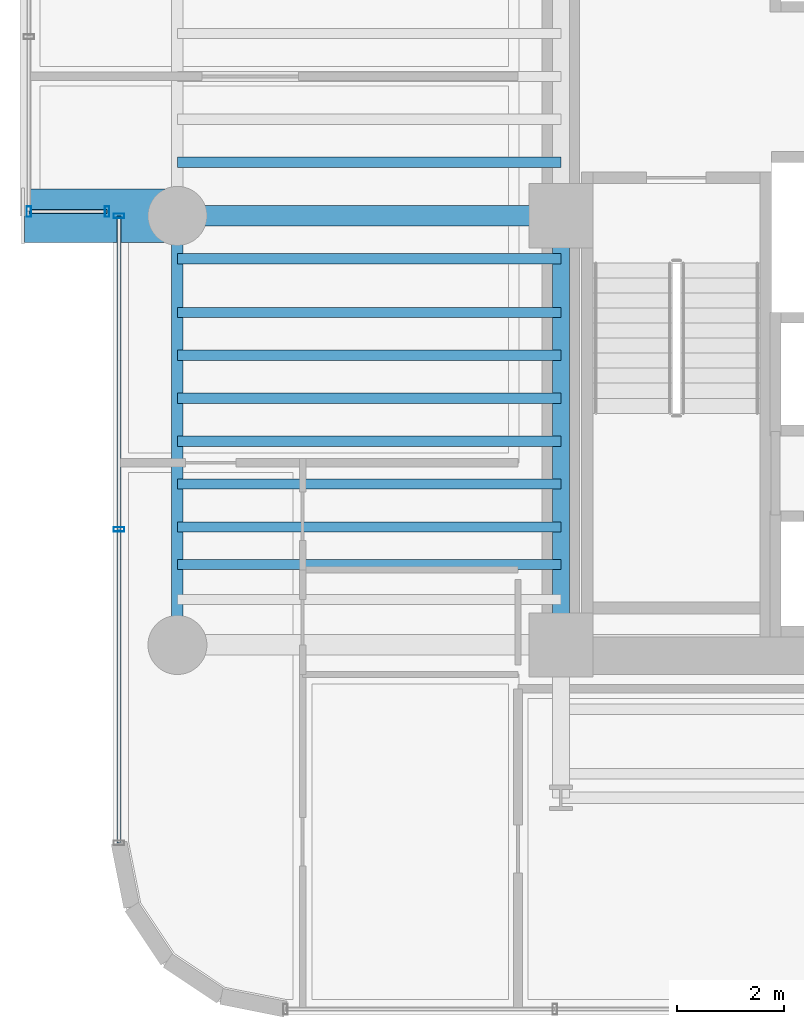
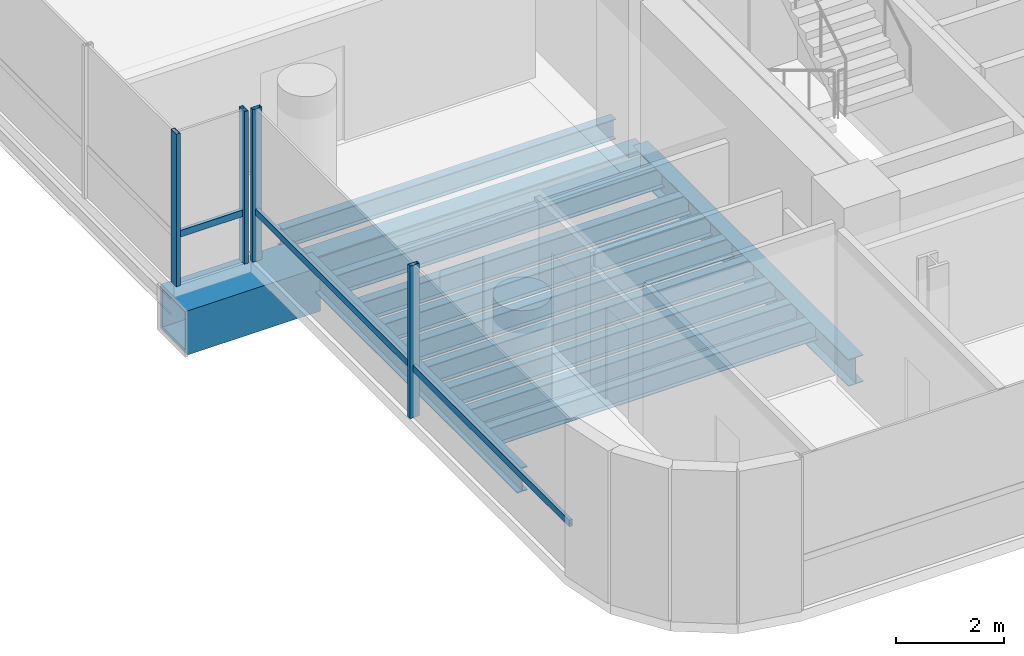
# One storey, part 4 of 35: 13 beams, 6 members, 2 elements without a shape of their own.
"""IFC4 building model written with IfcOpenShell, lengths in metres."""

from ifc_helpers import new_model, si_unit, direction, frame, origin, origin_2d, place, context, subcontext, project, spatial, hollow_rectangle, i_section, extrude, source, transform, mapped, material, material_profile, profile_set, type_object, element, aggregate, save


model = new_model("IFC4")

# Units and contexts
model_context = context("Model", 3, precision=1e-05, world=origin(), true_north=direction((0.0, 1.0)))
body_context = subcontext(model_context, "Body", "Model", "MODEL_VIEW")
ifc_project = project(units=[si_unit("LENGTHUNIT", "METRE"), si_unit("AREAUNIT", "SQUARE_METRE"), si_unit("VOLUMEUNIT", "CUBIC_METRE"), si_unit("PLANEANGLEUNIT", "RADIAN"), si_unit("MASSUNIT", "GRAM", prefix="KILO")], contexts=[model_context])

# Site, building, storey
site_placement = place(None, origin())
site = spatial("IfcSite", under=ifc_project, at=site_placement, CompositionType="ELEMENT")
building_placement = place(site_placement, origin())
building = spatial("IfcBuilding", under=site, at=building_placement, Name="Valdorenza Pilgrim Sanctuary Tower", CompositionType="ELEMENT")
storey_placement = place(building_placement, frame((0.0, 0.0, 105.699951171875)))
storey = spatial("IfcBuildingStorey", under=building, at=storey_placement, Name="L26", CompositionType="ELEMENT", Elevation=105.699951171875)

# Beams
ifc_material_1 = material(Name="Steel ASTM A992 Grade 50", Category="steel")
ifc_material_profile_1 = material_profile(ifc_material_1, i_section(OverallWidth=0.214111328125, OverallDepth=0.549072265625, WebThickness=0.0146484375, FlangeThickness=0.023681640625, at=origin_2d()), Name="W21X93")
ifc_profile_set_1 = profile_set([ifc_material_profile_1], Name="Steel ASTM A992 Grade 50")
beam_type_1 = type_object("IfcBeamType", Name="STR-BM-SPN-W21A", PredefinedType="SPANDREL", material=ifc_profile_set_1)
shared_shape_1 = source(origin(), body_context, "Body", "SweptSolid", [
    extrude(i_section(OverallWidth=0.214111328125, OverallDepth=0.549072265625, WebThickness=0.0146484375, FlangeThickness=0.023681640625, at=origin_2d()), origin(), (0.0, 0.0, 1.0), 8.0),
])
beam_1_placement = place(storey_placement, frame((-29.800048828125, -10.60009765625, -0.514404296875), z_axis=(0.0, 1.0, 0.0), x_axis=(-1.0, 0.0, 0.0)))
element("IfcBeam", 1, at=beam_1_placement, inside=storey, type_object=beam_type_1, Name="L26 Spandrel Beam WA-W-S1M0", PredefinedType="SPANDREL", context=body_context, shape_type="MappedRepresentation", body=[
    mapped(shared_shape_1, transform((0.0, 0.0, 0.0), x_axis=(1.0, 0.0, 0.0), y_axis=(0.0, 1.0, 0.0), z_axis=(0.0, 0.0, 1.0), scale=1.0)),
])
ifc_material_profile_2 = material_profile(ifc_material_1, i_section(OverallWidth=0.323974609375, OverallDepth=0.611083984375, WebThickness=0.0126953125, FlangeThickness=0.01904296875, at=origin_2d()), Name="W24X104")
ifc_profile_set_2 = profile_set([ifc_material_profile_2], Name="Steel ASTM A992 Grade 50")
beam_type_2 = type_object("IfcBeamType", Name="STR-BM-GRD-W24B", PredefinedType="BEAM", material=ifc_profile_set_2)
shared_shape_2 = source(origin(), body_context, "Body", "SweptSolid", [
    extrude(i_section(OverallWidth=0.323974609375, OverallDepth=0.611083984375, WebThickness=0.0126953125, FlangeThickness=0.01904296875, at=origin_2d()), origin(), (0.0, 0.0, 1.0), 8.0),
])
beam_2_placement = place(storey_placement, frame((-22.64990234375, -10.60009765625, -0.54541015625), z_axis=(0.0, 1.0, 0.0), x_axis=(-1.0, 0.0, 0.0)))
element("IfcBeam", 2, at=beam_2_placement, inside=storey, type_object=beam_type_2, Name="L26 Core Tie Girder CA-W-S1M0", PredefinedType="BEAM", context=body_context, shape_type="MappedRepresentation", body=[
    mapped(shared_shape_2, transform((0.0, 0.0, 0.0), x_axis=(1.0, 0.0, 0.0), y_axis=(0.0, 1.0, 0.0), z_axis=(0.0, 0.0, 1.0), scale=1.0)),
])
ifc_material_profile_3 = material_profile(ifc_material_1, i_section(OverallWidth=0.382080078125, OverallDepth=0.779052734375, WebThickness=0.01806640625, FlangeThickness=0.030029296875, at=origin_2d()), Name="W30X191")
ifc_profile_set_3 = profile_set([ifc_material_profile_3], Name="Steel ASTM A992 Grade 50")
beam_type_3 = type_object("IfcBeamType", Name="STR-BM-GRD-W30", PredefinedType="BEAM", material=ifc_profile_set_3)
shared_shape_3 = source(origin(), body_context, "Body", "SweptSolid", [
    extrude(i_section(OverallWidth=0.382080078125, OverallDepth=0.779052734375, WebThickness=0.01806640625, FlangeThickness=0.030029296875, at=origin_2d()), origin(), (0.0, 0.0, 1.0), 7.150146484375),
])
beam_3_placement = place(storey_placement, frame((-29.800048828125, -2.60009765625, -0.62939453125), z_axis=(1.0, 0.0, 0.0), x_axis=(0.0, 1.0, 0.0)))
element("IfcBeam", 3, at=beam_3_placement, inside=storey, type_object=beam_type_3, Name="L26 Floor Girder WA-XW-M0", PredefinedType="BEAM", context=body_context, shape_type="MappedRepresentation", body=[
    mapped(shared_shape_3, transform((0.0, 0.0, 0.0), x_axis=(1.0, 0.0, 0.0), y_axis=(0.0, 1.0, 0.0), z_axis=(0.0, 0.0, 1.0), scale=1.0)),
])
ifc_material_profile_4 = material_profile(ifc_material_1, i_section(OverallWidth=0.19091796875, OverallDepth=0.45703125, WebThickness=0.009033203125, FlangeThickness=0.014404296875, at=origin_2d()), Name="W18X50")
ifc_profile_set_4 = profile_set([ifc_material_profile_4], Name="Steel ASTM A992 Grade 50")
beam_type_4 = type_object("IfcBeamType", Name="STR-BM-JST-W18B", PredefinedType="JOIST", material=ifc_profile_set_4)
shared_shape_4 = source(origin(), body_context, "Body", "SweptSolid", [
    extrude(i_section(OverallWidth=0.19091796875, OverallDepth=0.45703125, WebThickness=0.009033203125, FlangeThickness=0.014404296875, at=origin_2d()), origin(), (0.0, 0.0, 1.0), 7.150146484375),
])
for number, where, z_axis, x_axis, name in (
    (4, (-29.800048828125, -9.10009765625, -0.468505859375), (1.0, 0.0, 0.0), (0.0, 1.0, 0.0), "L26 Composite Floor Joist JST-WA-2"),
    (5, (-29.800048828125, -8.39990234375, -0.468505859375), (1.0, 0.0, 0.0), (0.0, 1.0, 0.0), "L26 Composite Floor Joist JST-WA-3"),
    (6, (-29.800048828125, -7.60009765625, -0.468505859375), (1.0, 0.0, 0.0), (0.0, 1.0, 0.0), "L26 Composite Floor Joist JST-WA-4"),
    (7, (-29.800048828125, -6.800048828125, -0.468505859375), (1.0, 0.0, 0.0), (0.0, 1.0, 0.0), "L26 Composite Floor Joist JST-WA-5"),
    (8, (-29.800048828125, -6.0, -0.468505859375), (1.0, 0.0, 0.0), (0.0, 1.0, 0.0), "L26 Composite Floor Joist JST-WA-6"),
    (9, (-29.800048828125, -5.199951171875, -0.468505859375), (1.0, 0.0, 0.0), (0.0, 1.0, 0.0), "L26 Composite Floor Joist JST-WA-7"),
    (10, (-29.800048828125, -4.39990234375, -0.468505859375), (1.0, 0.0, 0.0), (0.0, 1.0, 0.0), "L26 Composite Floor Joist JST-WA-8"),
    (11, (-29.800048828125, -3.39990234375, -0.468505859375), (1.0, 0.0, 0.0), (0.0, 1.0, 0.0), "L26 Composite Floor Joist JST-WA-9"),
    (12, (-29.800048828125, -1.60009765625, -0.468505859375), (1.0, 0.0, 0.0), (0.0, 1.0, 0.0), "L26 Composite Floor Joist JST-WA-10"),
):
    element("IfcBeam", number, at=place(storey_placement, frame(where, z_axis=z_axis, x_axis=x_axis)), inside=storey, type_object=beam_type_4, Name=name, PredefinedType="JOIST", context=body_context, shape_type="MappedRepresentation", body=[
        mapped(shared_shape_4, transform((0.0, 0.0, 0.0), x_axis=(1.0, 0.0, 0.0), y_axis=(0.0, 1.0, 0.0), z_axis=(0.0, 0.0, 1.0), scale=1.0)),
    ])
ifc_material_2 = material(Name="Steel ASTM A572 Grade 42", Category="steel")
ifc_material_profile_5 = material_profile(ifc_material_2, hollow_rectangle(XDim=1.0, YDim=1.0, WallThickness=0.080078125, at=origin_2d()), Name="BOX 1000x1000x80")
ifc_profile_set_5 = profile_set([ifc_material_profile_5], Name="Steel ASTM A572 Grade 42")
beam_type_5 = type_object("IfcBeamType", Name="STR-BM-PROW-CANT", PredefinedType="BEAM", material=ifc_profile_set_5)
shared_shape_5 = source(origin(), body_context, "Body", "SweptSolid", [
    extrude(hollow_rectangle(XDim=1.0, YDim=1.0, WallThickness=0.080078125, at=origin_2d()), origin(), (0.0, 0.0, 1.0), 2.849853515625),
])
beam_4_placement = place(storey_placement, frame((-29.800048828125, -2.60009765625, -0.739990234375), z_axis=(-1.0, 0.0, 0.0), x_axis=(0.0, -1.0, 0.0)))
element("IfcBeam", 13, at=beam_4_placement, inside=storey, type_object=beam_type_5, Name="L26 Glass Box Cantilever Beam BOX-WA-L26-CT-S", PredefinedType="BEAM", context=body_context, shape_type="MappedRepresentation", body=[
    mapped(shared_shape_5, transform((0.0, 0.0, 0.0), x_axis=(1.0, 0.0, 0.0), y_axis=(0.0, 1.0, 0.0), z_axis=(0.0, 0.0, 1.0), scale=1.0)),
])

# Curtain wall, members
ifc_material_3 = material(Name="Curtain-wall IGU glazing", Category="glass")
curtain_wall_type = type_object("IfcCurtainWallType", Name="CW-SYS-02", PredefinedType="NOTDEFINED", material=ifc_material_3)
curtain_wall_1_placement = place(storey_placement, origin())
curtain_wall_1 = element("IfcCurtainWall", 14, at=curtain_wall_1_placement, inside=storey, type_object=curtain_wall_type, Name="L26 Curtain Wall CW-L26-1-1S1", PredefinedType="NOTDEFINED")
ifc_material_4 = material(Name="Anodised aluminium AW-6060", Category="aluminium")
ifc_material_profile_6 = material_profile(ifc_material_4, hollow_rectangle(XDim=0.0849609375, YDim=0.199951171875, WallThickness=0.0048828125, at=origin_2d()), Name="ALU-M 200x85x5")
ifc_profile_set_6 = profile_set([ifc_material_profile_6], Name="Anodised aluminium AW-6060")
member_type_1 = type_object("IfcMemberType", Name="CW-MUL-02", PredefinedType="MULLION", material=ifc_profile_set_6)
shared_shape_6 = source(origin(), body_context, "Body", "SweptSolid", [
    extrude(hollow_rectangle(XDim=0.0849609375, YDim=0.199951171875, WallThickness=0.0048828125, at=origin_2d()), origin(), (0.0, 0.0, 1.0), 3.4599609375),
])
member_1_placement = place(storey_placement, frame((-30.889892578125, -8.444580078125, 0.0), z_axis=(0.0, 0.0, 1.0), x_axis=(0.0, 1.0, 0.0)))
member_1 = element("IfcMember", 15, at=member_1_placement, type_object=member_type_1, Name="CW-L26-1-1S1 Mullion 2", PredefinedType="MULLION", context=body_context, shape_type="MappedRepresentation", body=[
    mapped(shared_shape_6, transform((0.0, 0.0, 0.0), x_axis=(1.0, 0.0, 0.0), y_axis=(0.0, 1.0, 0.0), z_axis=(0.0, 0.0, 1.0), scale=1.0)),
])
member_2_placement = place(storey_placement, frame((-30.889892578125, -2.60009765625, 0.0), z_axis=(0.0, 0.0, 1.0), x_axis=(0.0, 1.0, 0.0)))
member_2 = element("IfcMember", 16, at=member_2_placement, type_object=member_type_1, Name="CW-L26-1-1S1 Mullion 3", PredefinedType="MULLION", context=body_context, shape_type="MappedRepresentation", body=[
    mapped(shared_shape_6, transform((0.0, 0.0, 0.0), x_axis=(1.0, 0.0, 0.0), y_axis=(0.0, 1.0, 0.0), z_axis=(0.0, 0.0, 1.0), scale=1.0)),
])

curtain_wall_2_placement = place(storey_placement, origin())
curtain_wall_2 = element("IfcCurtainWall", 17, at=curtain_wall_2_placement, inside=storey, type_object=curtain_wall_type, Name="L26 Curtain Wall CW-L26-BOX-WA-L26-S", PredefinedType="NOTDEFINED")
member_3_placement = place(storey_placement, frame((-31.110107421875, -2.52001953125, 0.0), z_axis=(0.0, 0.0, 1.0), x_axis=(-1.0, 0.0, 0.0)))
member_3 = element("IfcMember", 18, at=member_3_placement, type_object=member_type_1, Name="CW-L26-BOX-WA-L26-S Mullion 1", PredefinedType="MULLION", context=body_context, shape_type="MappedRepresentation", body=[
    mapped(shared_shape_6, transform((0.0, 0.0, 0.0), x_axis=(1.0, 0.0, 0.0), y_axis=(0.0, 1.0, 0.0), z_axis=(0.0, 0.0, 1.0), scale=1.0)),
])
member_4_placement = place(storey_placement, frame((-32.570068359375, -2.52001953125, 0.0), z_axis=(0.0, 0.0, 1.0), x_axis=(-1.0, 0.0, 0.0)))
member_4 = element("IfcMember", 19, at=member_4_placement, type_object=member_type_1, Name="CW-L26-BOX-WA-L26-S Mullion 2", PredefinedType="MULLION", context=body_context, shape_type="MappedRepresentation", body=[
    mapped(shared_shape_6, transform((0.0, 0.0, 0.0), x_axis=(1.0, 0.0, 0.0), y_axis=(0.0, 1.0, 0.0), z_axis=(0.0, 0.0, 1.0), scale=1.0)),
])
ifc_material_profile_7 = material_profile(ifc_material_4, hollow_rectangle(XDim=0.074951171875, YDim=0.14990234375, WallThickness=0.00390625, at=origin_2d()), Name="ALU-T 150x75x4")
ifc_profile_set_7 = profile_set([ifc_material_profile_7], Name="Anodised aluminium AW-6060")
member_type_2 = type_object("IfcMemberType", Name="CW-TRN-02", PredefinedType="USERDEFINED", material=ifc_profile_set_7)
shared_shape_7 = source(origin(), body_context, "Body", "SweptSolid", [
    extrude(hollow_rectangle(XDim=0.074951171875, YDim=0.14990234375, WallThickness=0.00390625, at=origin_2d()), origin(), (0.0, 0.0, 1.0), 1.4599609375),
])
member_5_placement = place(storey_placement, frame((-31.110107421875, -2.52001953125, 1.1201171875), z_axis=(-1.0, 0.0, 0.0), x_axis=(0.0, -1.0, 0.0)))
member_5 = element("IfcMember", 20, at=member_5_placement, type_object=member_type_2, Name="CW-L26-BOX-WA-L26-S Transom 1", ObjectType="TRANSOM", PredefinedType="USERDEFINED", context=body_context, shape_type="MappedRepresentation", body=[
    mapped(shared_shape_7, transform((0.0, 0.0, 0.0), x_axis=(1.0, 0.0, 0.0), y_axis=(0.0, 1.0, 0.0), z_axis=(0.0, 0.0, 1.0), scale=1.0)),
])
aggregate(curtain_wall_2, [member_3, member_4, member_5])

# Member
shared_shape_8 = source(origin(), body_context, "Body", "SweptSolid", [
    extrude(hollow_rectangle(XDim=0.074951171875, YDim=0.14990234375, WallThickness=0.00390625, at=origin_2d()), origin(), (0.0, 0.0, 1.0), 11.689208984375),
])
member_6_placement = place(storey_placement, frame((-30.889892578125, -14.289306640625, 1.1201171875), z_axis=(0.0, 1.0, 0.0), x_axis=(-1.0, 0.0, 0.0)))
member_6 = element("IfcMember", 21, at=member_6_placement, type_object=member_type_2, Name="CW-L26-1-1S1 Transom 1", ObjectType="TRANSOM", PredefinedType="USERDEFINED", context=body_context, shape_type="MappedRepresentation", body=[
    mapped(shared_shape_8, transform((0.0, 0.0, 0.0), x_axis=(1.0, 0.0, 0.0), y_axis=(0.0, 1.0, 0.0), z_axis=(0.0, 0.0, 1.0), scale=1.0)),
])

aggregate(curtain_wall_1, [member_1, member_2, member_6])

save(model, "model.ifc")
